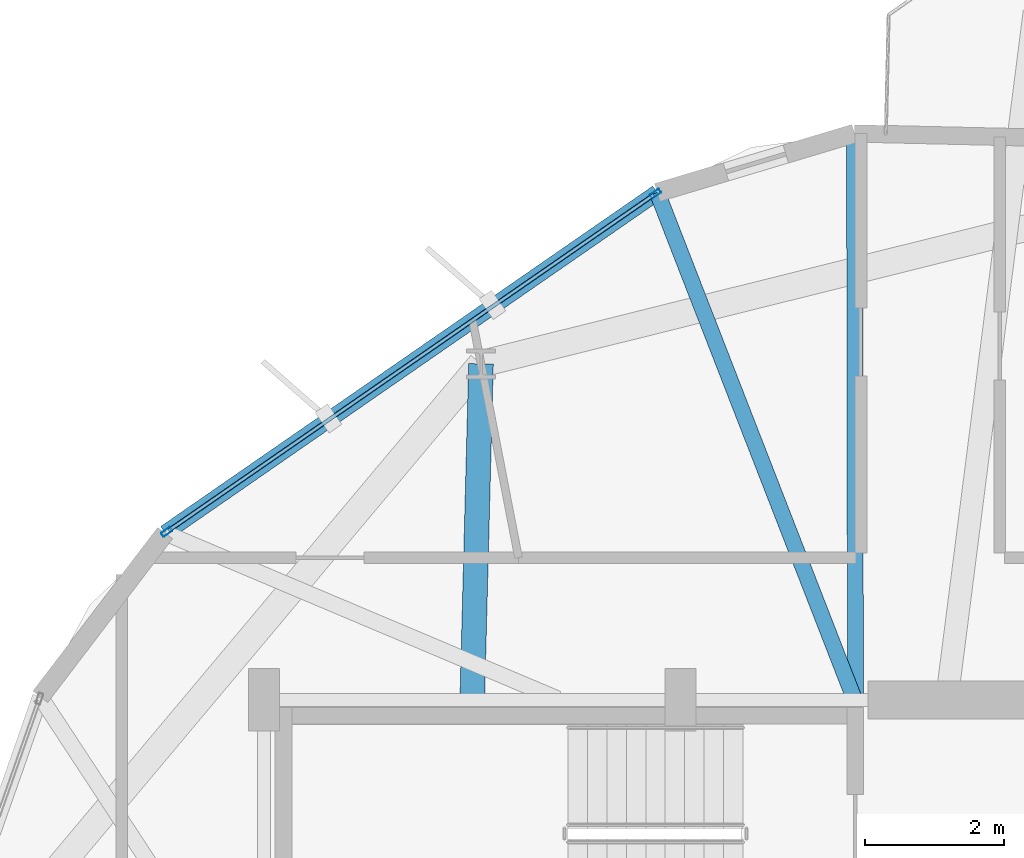
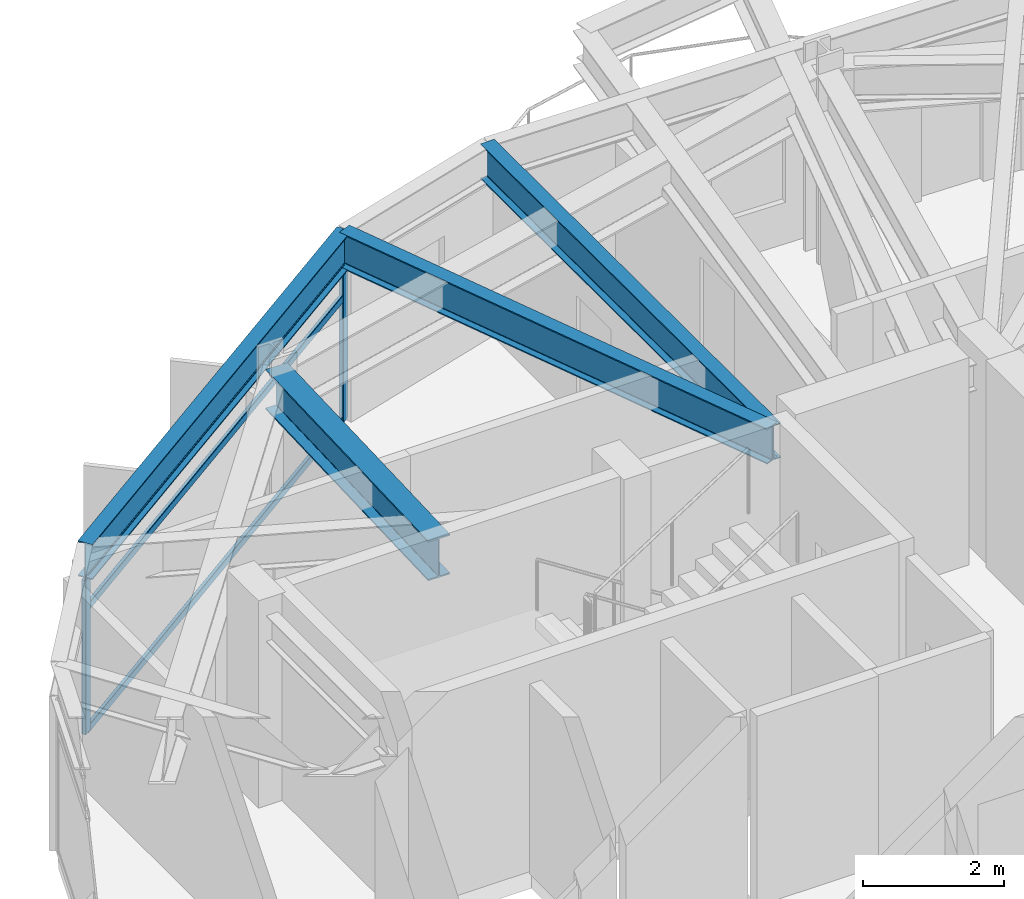
# One storey, part 11 of 22: 5 members, 4 beams, 1 element without a shape of its own.
"""IFC4 building model written with IfcOpenShell, lengths in metres."""

from ifc_helpers import new_model, si_unit, direction, frame, origin, origin_2d, place, context, subcontext, project, spatial, hollow_rectangle, i_section, extrude, material, layer, layer_set, material_profile, profile_set, type_object, element, aggregate, save


model = new_model("IFC4")

# Units and contexts
model_context = context("Model", 3, precision=1e-05, world=origin(), true_north=direction((0.0, 1.0)))
body_context = subcontext(model_context, "Body", "Model", "MODEL_VIEW")
ifc_project = project(units=[si_unit("LENGTHUNIT", "METRE"), si_unit("AREAUNIT", "SQUARE_METRE"), si_unit("VOLUMEUNIT", "CUBIC_METRE"), si_unit("PLANEANGLEUNIT", "RADIAN"), si_unit("MASSUNIT", "GRAM", prefix="KILO")], contexts=[model_context])

# Site, building, storey
site_placement = place(None, origin())
site = spatial("IfcSite", under=ifc_project, at=site_placement, CompositionType="ELEMENT")
building_placement = place(site_placement, origin())
building = spatial("IfcBuilding", under=site, at=building_placement, Name="Soratama Intermodal Tower", CompositionType="ELEMENT")
storey_placement = place(building_placement, frame((0.0, 0.0, 160.60009765625)))
storey = spatial("IfcBuildingStorey", under=building, at=storey_placement, Name="L39", CompositionType="ELEMENT", Elevation=160.60009765625)

# Beams
ifc_material_1 = material(Name="Structural steel ASTM A992 Grade 50", Category="steel")
ifc_material_profile_1 = material_profile(ifc_material_1, i_section(OverallWidth=0.35498046875, OverallDepth=0.695068359375, WebThickness=0.015380859375, FlangeThickness=0.02490234375, FilletRadius=0.01611328125, at=origin_2d()), Name="W27X146")
ifc_profile_set_1 = profile_set([ifc_material_profile_1], Name="Structural steel ASTM A992 Grade 50")
beam_type_1 = type_object("IfcBeamType", Name="BM-RING-W27X146", PredefinedType="BEAM", material=ifc_profile_set_1)
beam_1_placement = place(storey_placement, frame((35.60009765625, 35.0, 2.952392578125), z_axis=(0.026013685955, 0.99966158681, 0.0), x_axis=(-0.99966158681, 0.026013685955, 0.0)))
element("IfcBeam", 1, at=beam_1_placement, inside=storey, type_object=beam_type_1, Name="BM-L39-RAD-04", PredefinedType="BEAM", context=body_context, shape_type="SweptSolid", body=[
    extrude(i_section(OverallWidth=0.35498046875, OverallDepth=0.695068359375, WebThickness=0.015380859375, FlangeThickness=0.02490234375, FilletRadius=0.01611328125, at=origin_2d()), origin(), (0.0, 0.0, 1.0), 4.8427734375),
])
ifc_material_2 = material(Name="Structural steel ASTM A992 Grade 50", Category="steel")
ifc_material_profile_2 = material_profile(ifc_material_2, i_section(OverallWidth=0.22900390625, OverallDepth=0.612060546875, WebThickness=0.011962890625, FlangeThickness=0.01953125, FilletRadius=0.012939453125, at=origin_2d()), Name="W24X84")
ifc_profile_set_2 = profile_set([ifc_material_profile_2], Name="Structural steel ASTM A992 Grade 50")
beam_type_2 = type_object("IfcBeamType", Name="BM-SPN-W24X84", PredefinedType="SPANDREL", material=ifc_profile_set_2)
beam_2_placement = place(storey_placement, frame((38.264892578125, 42.31005859375, 2.993896484375), z_axis=(-0.822372596549, -0.568949305691, 0.0), x_axis=(0.568949305691, -0.822372596549, 0.0)))
element("IfcBeam", 2, at=beam_2_placement, inside=storey, type_object=beam_type_2, Name="BS-L39-F03", PredefinedType="SPANDREL", context=body_context, shape_type="SweptSolid", body=[
    extrude(i_section(OverallWidth=0.22900390625, OverallDepth=0.612060546875, WebThickness=0.011962890625, FlangeThickness=0.01953125, FilletRadius=0.012939453125, at=origin_2d()), origin(), (0.0, 0.0, 1.0), 8.62109375),
])
ifc_material_3 = material(Name="Structural steel ASTM A992 Grade 50", Category="steel")
ifc_material_profile_3 = material_profile(ifc_material_3, i_section(OverallWidth=0.22900390625, OverallDepth=0.612060546875, WebThickness=0.011962890625, FlangeThickness=0.01953125, FilletRadius=0.012939453125, at=origin_2d()), Name="W24X84")
ifc_profile_set_3 = profile_set([ifc_material_profile_3], Name="Structural steel ASTM A992 Grade 50")
beam_type_3 = type_object("IfcBeamType", Name="BM-TIE-W24X84", PredefinedType="BEAM", material=ifc_profile_set_3)
beam_3_placement = place(storey_placement, frame((41.12109375, 35.0400390625, 2.993896484375), z_axis=(-0.001743414448, 0.999998480252, 0.0), x_axis=(-0.999998480252, -0.001743414448, 0.0)))
element("IfcBeam", 3, at=beam_3_placement, inside=storey, type_object=beam_type_3, Name="BM-L39-TIE1-02", PredefinedType="BEAM", context=body_context, shape_type="SweptSolid", body=[
    extrude(i_section(OverallWidth=0.22900390625, OverallDepth=0.612060546875, WebThickness=0.011962890625, FlangeThickness=0.01953125, FilletRadius=0.012939453125, at=origin_2d()), origin(), (0.0, 0.0, 1.0), 8.1220703125),
])
beam_4_placement = place(storey_placement, frame((41.094970703125, 35.037109375, 2.993896484375), z_axis=(-0.362636469729, 0.931930679194, 0.0), x_axis=(-0.931930679194, -0.362636469729, 0.0)))
element("IfcBeam", 4, at=beam_4_placement, inside=storey, type_object=beam_type_3, Name="BM-L39-TIE0-03", PredefinedType="BEAM", context=body_context, shape_type="SweptSolid", body=[
    extrude(i_section(OverallWidth=0.22900390625, OverallDepth=0.612060546875, WebThickness=0.011962890625, FlangeThickness=0.01953125, FilletRadius=0.012939453125, at=origin_2d()), origin(), (0.0, 0.0, 1.0), 7.80419921875),
])

# Curtain wall, members
ifc_material_4 = material(Name="Double-glazed aluminium curtain wall", Category="aluminium")
ifc_layer = layer(ifc_material_4, 0.159912109375)
ifc_layer_set = layer_set([ifc_layer], Name="Double-glazed aluminium curtain wall")
curtain_wall_type = type_object("IfcCurtainWallType", Name="CW-SYS-4", PredefinedType="NOTDEFINED", material=ifc_layer_set)
curtain_wall_placement = place(storey_placement, origin())
curtain_wall = element("IfcCurtainWall", 5, at=curtain_wall_placement, inside=storey, type_object=curtain_wall_type, Name="L39 Faceted Curtain Wall F03", PredefinedType="NOTDEFINED")
ifc_material_5 = material(Name="Anodised aluminium AA 6063-T6", Category="aluminium")
ifc_material_profile_4 = material_profile(ifc_material_5, hollow_rectangle(XDim=0.070068359375, YDim=0.159912109375, WallThickness=0.0048828125, InnerFilletRadius=0.0048828125, OuterFilletRadius=0.010009765625, at=origin_2d()), Name="CWM160X70X5")
ifc_profile_set_4 = profile_set([ifc_material_profile_4], Name="Anodised aluminium AA 6063-T6")
member_type_1 = type_object("IfcMemberType", Name="MT-CWM-4", PredefinedType="MULLION", material=ifc_profile_set_4)
member_1_placement = place(storey_placement, frame((38.240234375, 42.293212890625, 0.0), z_axis=(0.0, 0.0, 1.0), x_axis=(0.568991019589, -0.822343735689, 0.0)))
member_1 = element("IfcMember", 6, at=member_1_placement, type_object=member_type_1, Name="CW-4 mullion 1", PredefinedType="MULLION", context=body_context, shape_type="SweptSolid", body=[
    extrude(hollow_rectangle(XDim=0.070068359375, YDim=0.159912109375, WallThickness=0.0048828125, InnerFilletRadius=0.0048828125, OuterFilletRadius=0.010009765625, at=origin_2d()), origin(), (0.0, 0.0, 1.0), 2.678955078125),
])
member_2_placement = place(storey_placement, frame((31.19970703125, 37.421630859375, 0.0), z_axis=(0.0, 0.0, 1.0), x_axis=(0.568991019589, -0.822343735689, 0.0)))
member_2 = element("IfcMember", 7, at=member_2_placement, type_object=member_type_1, Name="CW-4 mullion 2", PredefinedType="MULLION", context=body_context, shape_type="SweptSolid", body=[
    extrude(hollow_rectangle(XDim=0.070068359375, YDim=0.159912109375, WallThickness=0.0048828125, InnerFilletRadius=0.0048828125, OuterFilletRadius=0.010009765625, at=origin_2d()), origin(), (0.0, 0.0, 1.0), 2.678955078125),
])
ifc_material_6 = material(Name="Anodised aluminium AA 6063-T6", Category="aluminium")
ifc_material_profile_5 = material_profile(ifc_material_6, hollow_rectangle(XDim=0.06005859375, YDim=0.1298828125, WallThickness=0.0048828125, InnerFilletRadius=0.0048828125, OuterFilletRadius=0.010009765625, at=origin_2d()), Name="CWT130X60X5")
ifc_profile_set_5 = profile_set([ifc_material_profile_5], Name="Anodised aluminium AA 6063-T6")
member_type_2 = type_object("IfcMemberType", Name="TT-CWT-2", PredefinedType="USERDEFINED", material=ifc_profile_set_5)
member_3_placement = place(storey_placement, frame((38.215576171875, 42.276123046875, 0.02978515625), z_axis=(-0.822338965417, -0.568997913842, 0.0), x_axis=(0.568997913842, -0.822338965417, 0.0)))
member_3 = element("IfcMember", 8, at=member_3_placement, type_object=member_type_2, Name="CW-4 transom 1.1", ObjectType="TRANSOM", PredefinedType="USERDEFINED", context=body_context, shape_type="SweptSolid", body=[
    extrude(hollow_rectangle(XDim=0.06005859375, YDim=0.1298828125, WallThickness=0.0048828125, InnerFilletRadius=0.0048828125, OuterFilletRadius=0.010009765625, at=origin_2d()), origin(), (0.0, 0.0, 1.0), 8.501708984375),
])
member_4_placement = place(storey_placement, frame((38.215576171875, 42.276123046875, 2.14990234375), z_axis=(-0.822338965417, -0.568997913842, 0.0), x_axis=(0.568997913842, -0.822338965417, 0.0)))
member_4 = element("IfcMember", 9, at=member_4_placement, type_object=member_type_2, Name="CW-4 transom 1.2", ObjectType="TRANSOM", PredefinedType="USERDEFINED", context=body_context, shape_type="SweptSolid", body=[
    extrude(hollow_rectangle(XDim=0.06005859375, YDim=0.1298828125, WallThickness=0.0048828125, InnerFilletRadius=0.0048828125, OuterFilletRadius=0.010009765625, at=origin_2d()), origin(), (0.0, 0.0, 1.0), 8.501708984375),
])
member_5_placement = place(storey_placement, frame((38.215576171875, 42.276123046875, 2.64892578125), z_axis=(-0.822338965417, -0.568997913842, 0.0), x_axis=(0.568997913842, -0.822338965417, 0.0)))
member_5 = element("IfcMember", 10, at=member_5_placement, type_object=member_type_2, Name="CW-4 transom 1.3", ObjectType="TRANSOM", PredefinedType="USERDEFINED", context=body_context, shape_type="SweptSolid", body=[
    extrude(hollow_rectangle(XDim=0.06005859375, YDim=0.1298828125, WallThickness=0.0048828125, InnerFilletRadius=0.0048828125, OuterFilletRadius=0.010009765625, at=origin_2d()), origin(), (0.0, 0.0, 1.0), 8.501708984375),
])
aggregate(curtain_wall, [member_1, member_2, member_3, member_4, member_5])

save(model, "model.ifc")
